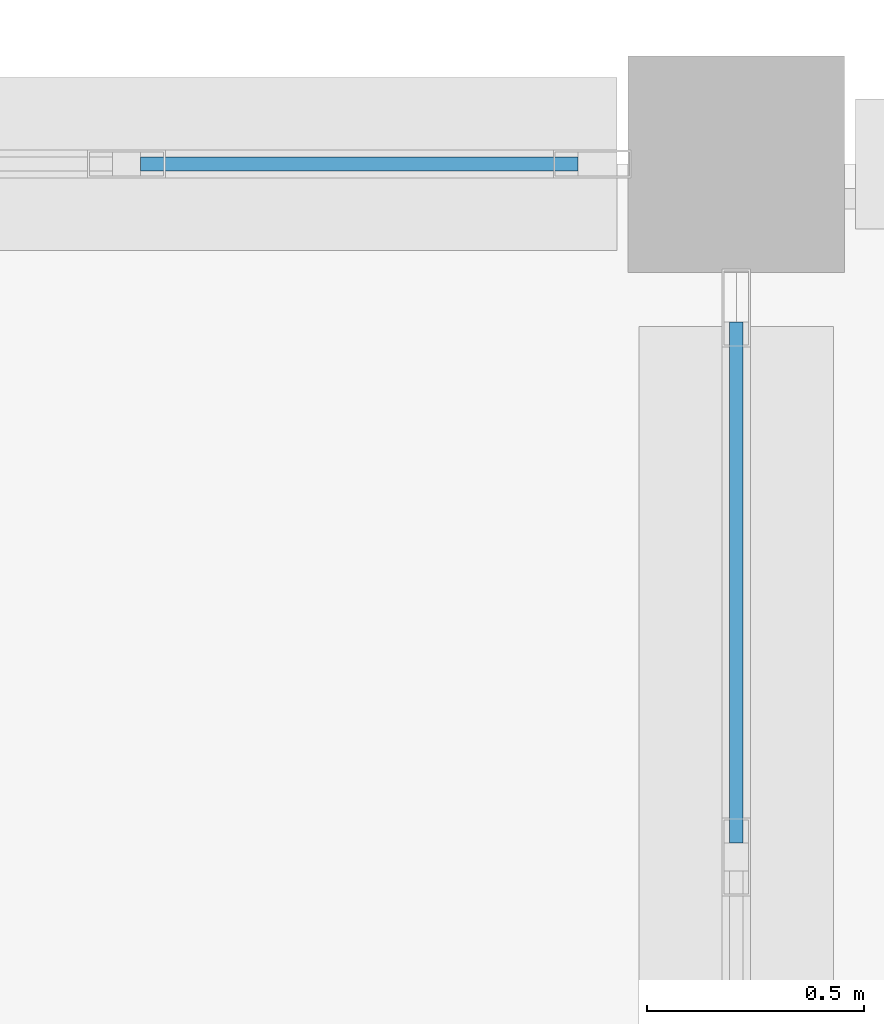
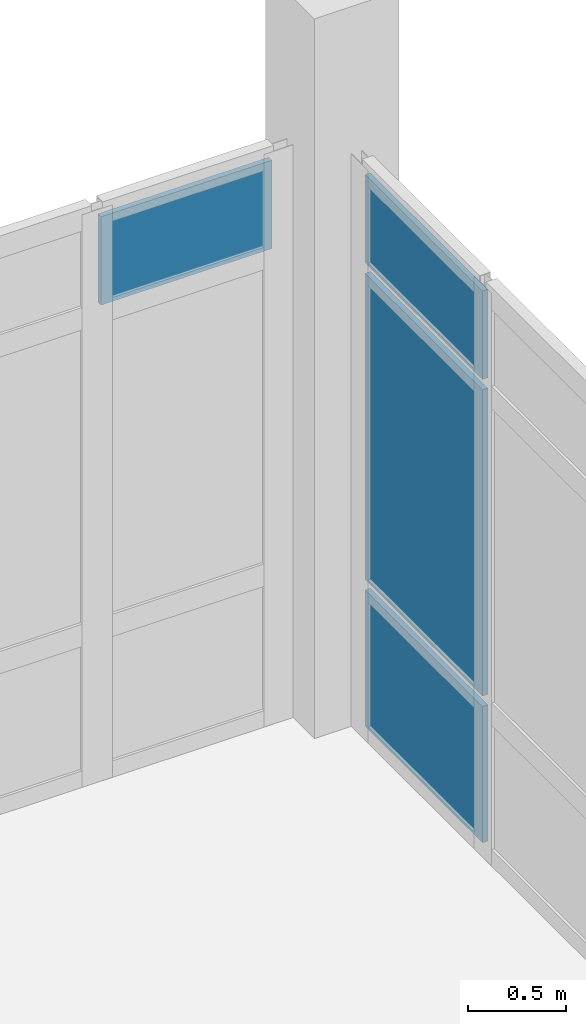
# One storey, part 31 of 41: 4 plates, 2 elements without a shape of their own.
"""IFC4 building model written with IfcOpenShell, lengths in metres."""

from ifc_helpers import new_model, si_unit, direction, frame, origin, origin_2d, place, context, subcontext, project, spatial, rectangle, extrude, material, layer, layer_set, type_object, element, aggregate, save


model = new_model("IFC4")

# Units and contexts
model_context = context("Model", 3, precision=1e-05, world=origin(), true_north=direction((0.0, 1.0)))
body_context = subcontext(model_context, "Body", "Model", "MODEL_VIEW")
ifc_project = project(units=[si_unit("LENGTHUNIT", "METRE"), si_unit("AREAUNIT", "SQUARE_METRE"), si_unit("VOLUMEUNIT", "CUBIC_METRE"), si_unit("PLANEANGLEUNIT", "RADIAN"), si_unit("MASSUNIT", "GRAM", prefix="KILO")], contexts=[model_context])

# Site, building, storey
site_placement = place(None, origin())
site = spatial("IfcSite", under=ifc_project, at=site_placement, CompositionType="ELEMENT")
building_placement = place(site_placement, origin())
building = spatial("IfcBuilding", under=site, at=building_placement, Name="Kalluvel Institute of Natural Sciences", CompositionType="ELEMENT")
storey_placement = place(building_placement, frame((0.0, 0.0, 32.39990234375)))
storey = spatial("IfcBuildingStorey", under=building, at=storey_placement, Name="L07", CompositionType="ELEMENT", Elevation=32.39990234375)

# Curtain wall, plate
ifc_material_1 = material(Name="Aluminium AW-6063 T6", Category="aluminium")
curtain_wall_type = type_object("IfcCurtainWallType", Name="CW-WET-45", PredefinedType="USERDEFINED", material=ifc_material_1)
curtain_wall_1_placement = place(storey_placement, origin())
curtain_wall_1 = element("IfcCurtainWall", 1, at=curtain_wall_1_placement, inside=storey, type_object=curtain_wall_type, Name="L07 Gothic lancet curtain wall CWA-L07-X934-Y1280", ObjectType="UNITISED LANCET FACADE", PredefinedType="USERDEFINED")
ifc_material_2 = material(Name="Solar-Control Low-E Laminated Glass", Category="glass")
ifc_layer = layer(ifc_material_2, 0.031982421875)
ifc_layer_set = layer_set([ifc_layer], Name="Solar-Control Low-E Laminated Glass")
plate_type = type_object("IfcPlateType", Name="CWP-DGU-32", PredefinedType="CURTAIN_PANEL", material=ifc_layer_set)
plate_1_placement = place(storey_placement, frame((99.529541015625, 128.0, 2.96240234375), z_axis=(0.0, 0.0, 1.0), x_axis=(1.0, 0.0, 0.0)))
plate_1 = element("IfcPlate", 2, at=plate_1_placement, type_object=plate_type, Name="CW-01 panel 6.3", PredefinedType="CURTAIN_PANEL", context=body_context, shape_type="SweptSolid", body=[
    extrude(rectangle(XDim=1.0107421875, YDim=0.031982421875, at=origin_2d()), origin(), (0.0, 0.0, 1.0), 0.552490234375),
])
aggregate(curtain_wall_1, [plate_1])

# Curtain wall, plates
curtain_wall_2_placement = place(storey_placement, origin())
curtain_wall_2 = element("IfcCurtainWall", 3, at=curtain_wall_2_placement, inside=storey, type_object=curtain_wall_type, Name="L07 Gothic lancet curtain wall CWA-L07-X1004-Y1199", ObjectType="UNITISED LANCET FACADE", PredefinedType="USERDEFINED")
plate_2_placement = place(storey_placement, frame((100.39990234375, 127.03369140625, 0.065185546875), z_axis=(0.0, 0.0, 1.0), x_axis=(0.0, 1.0, 0.0)))
plate_2 = element("IfcPlate", 4, at=plate_2_placement, type_object=plate_type, Name="CW-01 panel 6.1", PredefinedType="CURTAIN_PANEL", context=body_context, shape_type="SweptSolid", body=[
    extrude(rectangle(XDim=1.202392578125, YDim=0.031982421875, at=origin_2d()), origin(), (0.0, 0.0, 1.0), 0.8525390625),
])
plate_3_placement = place(storey_placement, frame((100.39990234375, 127.03369140625, 0.982666015625), z_axis=(0.0, 0.0, 1.0), x_axis=(0.0, 1.0, 0.0)))
plate_3 = element("IfcPlate", 5, at=plate_3_placement, type_object=plate_type, Name="CW-01 panel 6.2", PredefinedType="CURTAIN_PANEL", context=body_context, shape_type="SweptSolid", body=[
    extrude(rectangle(XDim=1.202392578125, YDim=0.031982421875, at=origin_2d()), origin(), (0.0, 0.0, 1.0), 1.9150390625),
])
plate_4_placement = place(storey_placement, frame((100.39990234375, 127.03369140625, 2.96240234375), z_axis=(0.0, 0.0, 1.0), x_axis=(0.0, 1.0, 0.0)))
plate_4 = element("IfcPlate", 6, at=plate_4_placement, type_object=plate_type, Name="CW-01 panel 6.3", PredefinedType="CURTAIN_PANEL", context=body_context, shape_type="SweptSolid", body=[
    extrude(rectangle(XDim=1.202392578125, YDim=0.031982421875, at=origin_2d()), origin(), (0.0, 0.0, 1.0), 0.552490234375),
])
aggregate(curtain_wall_2, [plate_2, plate_3, plate_4])

save(model, "model.ifc")
